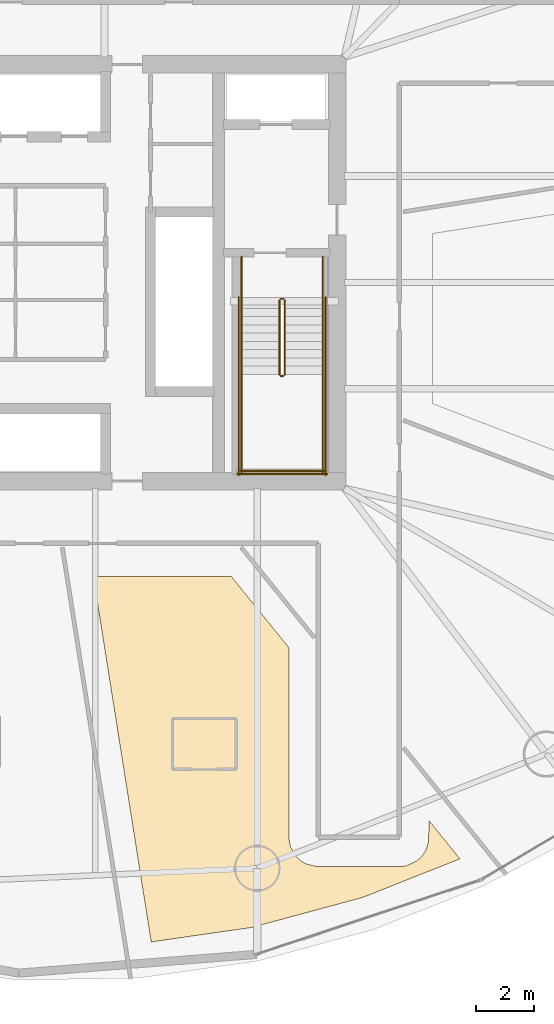
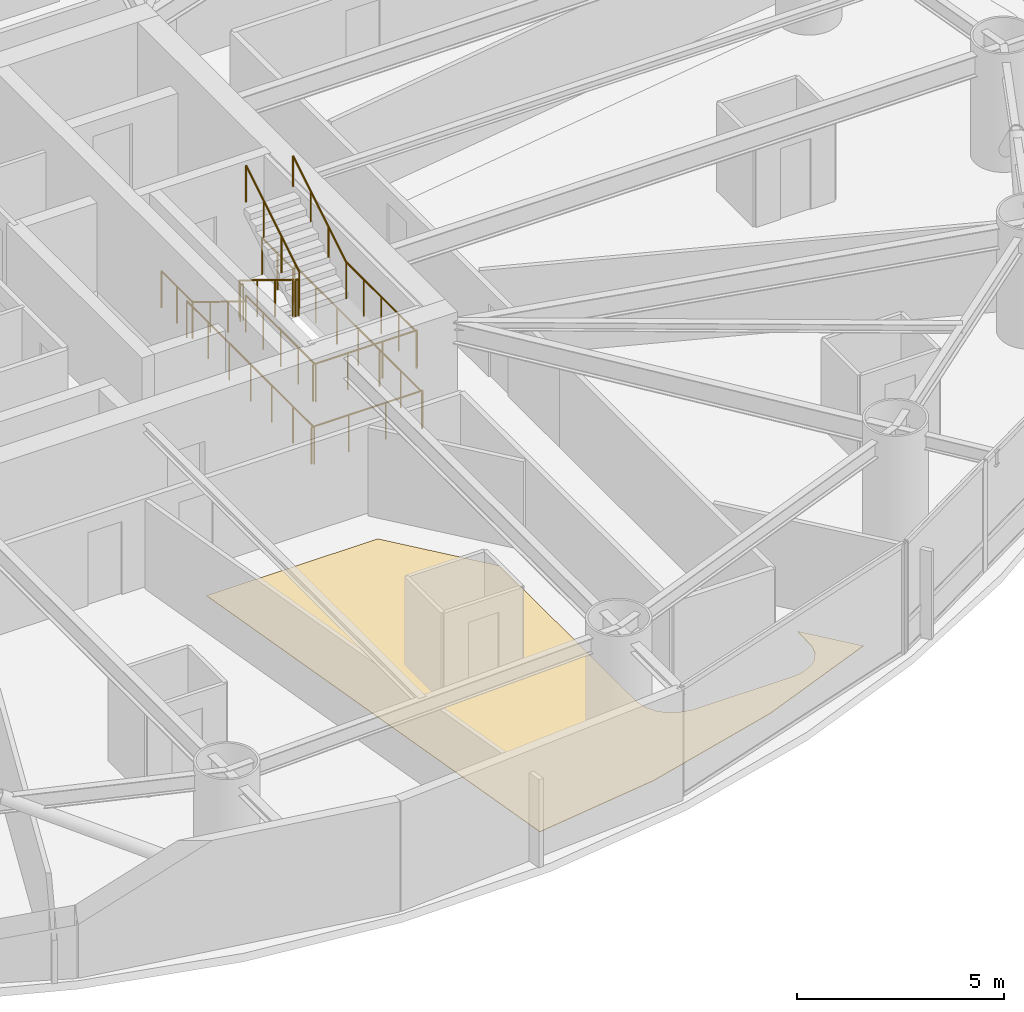
# One storey, part 24 of 25: 14 railings, 1 covering.
"""IFC4 building model written with IfcOpenShell, lengths in metres."""

from ifc_helpers import new_model, si_unit, direction, frame, origin, origin_2d, place, context, subcontext, project, spatial, polyline, circle, outline, extrude, material, layer, layer_set, type_object, element, save


model = new_model("IFC4")

# Units and contexts
model_context = context("Model", 3, precision=1e-05, world=origin(), true_north=direction((0.0, 1.0)))
body_context = subcontext(model_context, "Body", "Model", "MODEL_VIEW")
ifc_project = project(units=[si_unit("LENGTHUNIT", "METRE"), si_unit("AREAUNIT", "SQUARE_METRE"), si_unit("VOLUMEUNIT", "CUBIC_METRE"), si_unit("PLANEANGLEUNIT", "RADIAN"), si_unit("MASSUNIT", "GRAM", prefix="KILO")], contexts=[model_context])

# Site, building, storey
site_placement = place(None, origin())
site = spatial("IfcSite", under=ifc_project, at=site_placement, CompositionType="ELEMENT")
building_placement = place(site_placement, origin())
building = spatial("IfcBuilding", under=site, at=building_placement, Name="Bramvorn Convention Spire", CompositionType="ELEMENT")
storey_placement = place(building_placement, frame((0.0, 0.0, 48.39990234375)))
storey = spatial("IfcBuildingStorey", under=building, at=storey_placement, Name="L09", CompositionType="ELEMENT", Elevation=48.39990234375)

# Covering
ifc_material_1 = material(Name="Solution-Dyed Wool Broadloom Hospitality Carpet", Category="textile")
ifc_layer = layer(ifc_material_1, 0.014892578125)
ifc_layer_set = layer_set([ifc_layer], Name="Solution-Dyed Wool Broadloom Hospitality Carpet - FLR-CARPET-15")
covering_type = type_object("IfcCoveringType", Name="FLR-CARPET-15", PredefinedType="FLOORING", material=ifc_layer_set)
covering_placement = place(storey_placement, origin())
element("IfcCovering", 1, at=covering_placement, inside=storey, type_object=covering_type, Name="Hotel Suite 0910 wool broadloom carpet", PredefinedType="FLOORING", context=body_context, shape_type="SweptSolid", body=[
    extrude(outline(polyline([(46.0224609375, 3.372314453125), (49.884765625, 4.415771484375), (53.24169921875, 5.747802734375), (52.169921875, 7.0712890625), (52.15966796875, 6.356201171875), (52.0693359375, 6.05859375), (51.90966796875, 5.819580078125), (51.76220703125, 5.684326171875), (51.403564453125, 5.51220703125), (51.14990234375, 5.47998046875), (48.294189453125, 5.481689453125), (47.90869140625, 5.58056640625), (47.73779296875, 5.684326171875), (47.534423828125, 5.8876953125), (47.3876953125, 6.162109375), (47.3310546875, 6.455810546875), (47.330078125, 13.04833984375), (45.344482421875, 15.5), (40.57421875, 15.5), (42.5732421875, 2.87841796875), (46.0224609375, 3.372314453125)])), origin(), (0.0, 0.0, 1.0), 0.01513671875),
])

# Railings
ifc_material_2 = material(Name="Painted Steel Balustrade & Guardrail", Category="steel")
railing_type_1 = type_object("IfcRailingType", Name="RL-STAIR-GUARD-1100", PredefinedType="GUARDRAIL", material=ifc_material_2)
railing_1_placement = place(storey_placement, frame((47.010009765625, 25.050048828125, 0.175048828125)))
element("IfcRailing", 2, at=railing_1_placement, inside=storey, type_object=railing_type_1, Name="L09 ST2 stair guard 1", PredefinedType="GUARDRAIL", context=body_context, shape_type="SweptSolid", body=[
    extrude(circle(Radius=0.02392578125, at=origin_2d()), frame((0.0, 0.0, 1.076171875), z_axis=(0.0, -0.852173129349, 0.523259933127), x_axis=(1.0, 0.0, 0.0)), (0.0, 0.0, 1.0), 3.009765625),
    extrude(circle(Radius=0.02099609375, at=origin_2d()), origin(), (0.0, 0.0, 1.0), 1.052001953125),
    extrude(circle(Radius=0.02099609375, at=origin_2d()), frame((0.0, -0.85498046875, 0.52490234375)), (0.0, 0.0, 1.0), 1.052001953125),
    extrude(circle(Radius=0.02099609375, at=origin_2d()), frame((0.0, -1.7099609375, 1.050048828125)), (0.0, 0.0, 1.0), 1.052001953125),
    extrude(circle(Radius=0.02099609375, at=origin_2d()), frame((0.0, -2.56494140625, 1.574951171875)), (0.0, 0.0, 1.0), 1.052001953125),
])
railing_2_placement = place(storey_placement, frame((47.06005859375, 22.43505859375, 1.75)))
element("IfcRailing", 3, at=railing_2_placement, inside=storey, type_object=railing_type_1, Name="L09 ST2 stair guard 2", PredefinedType="GUARDRAIL", context=body_context, shape_type="SweptSolid", body=[
    extrude(circle(Radius=0.02392578125, at=origin_2d()), frame((0.0, 0.0, 1.076171875), z_axis=(1.0, 0.0, 0.0), x_axis=(0.0, 1.0, 0.0)), (0.0, 0.0, 1.0), 0.079833984375),
    extrude(circle(Radius=0.02099609375, at=origin_2d()), origin(), (0.0, 0.0, 1.0), 1.052001953125),
    extrude(circle(Radius=0.02099609375, at=origin_2d()), frame((0.079833984375, 0.0, 0.0)), (0.0, 0.0, 1.0), 1.052001953125),
])
for number, where, name in (
    (4, (45.699951171875, 22.485107421875, 1.75), "L09 ST2 stair guard 3"),
    (5, (48.5, 22.485107421875, 1.75), "L09 ST2 stair guard 4"),
):
    element("IfcRailing", number, at=place(storey_placement, frame(where)), inside=storey, type_object=railing_type_1, Name=name, PredefinedType="GUARDRAIL", context=body_context, shape_type="SweptSolid", body=[
        extrude(circle(Radius=0.02392578125, at=origin_2d()), frame((0.0, 0.0, 1.076171875), z_axis=(0.0, -1.0, 0.0), x_axis=(1.0, 0.0, 0.0)), (0.0, 0.0, 1.0), 3.385009765625),
        extrude(circle(Radius=0.02099609375, at=origin_2d()), origin(), (0.0, 0.0, 1.0), 1.052001953125),
        extrude(circle(Radius=0.02099609375, at=origin_2d()), frame((0.0, -0.84619140625, 0.0)), (0.0, 0.0, 1.0), 1.052001953125),
        extrude(circle(Radius=0.02099609375, at=origin_2d()), frame((0.0, -1.6923828125, 0.0)), (0.0, 0.0, 1.0), 1.052001953125),
        extrude(circle(Radius=0.02099609375, at=origin_2d()), frame((0.0, -2.538818359375, 0.0)), (0.0, 0.0, 1.0), 1.052001953125),
        extrude(circle(Radius=0.02099609375, at=origin_2d()), frame((0.0, -3.385009765625, 0.0)), (0.0, 0.0, 1.0), 1.052001953125),
    ])
railing_3_placement = place(storey_placement, frame((45.64990234375, 19.14990234375, 1.75)))
element("IfcRailing", 6, at=railing_3_placement, inside=storey, type_object=railing_type_1, Name="L09 ST2 stair guard 5", PredefinedType="GUARDRAIL", context=body_context, shape_type="SweptSolid", body=[
    extrude(circle(Radius=0.02392578125, at=origin_2d()), frame((0.0, 0.0, 1.076171875), z_axis=(1.0, 0.0, 0.0), x_axis=(0.0, 1.0, 0.0)), (0.0, 0.0, 1.0), 2.900146484375),
    extrude(circle(Radius=0.02099609375, at=origin_2d()), origin(), (0.0, 0.0, 1.0), 1.052001953125),
    extrude(circle(Radius=0.02099609375, at=origin_2d()), frame((0.966796875, 0.0, 0.0)), (0.0, 0.0, 1.0), 1.052001953125),
    extrude(circle(Radius=0.02099609375, at=origin_2d()), frame((1.933349609375, 0.0, 0.0)), (0.0, 0.0, 1.0), 1.052001953125),
    extrude(circle(Radius=0.02099609375, at=origin_2d()), frame((2.900146484375, 0.0, 0.0)), (0.0, 0.0, 1.0), 1.052001953125),
])
railing_4_placement = place(storey_placement, frame((47.18994140625, 22.485107421875, 1.925048828125)))
element("IfcRailing", 7, at=railing_4_placement, inside=storey, type_object=railing_type_1, Name="L09 ST2 stair guard 6", PredefinedType="GUARDRAIL", context=body_context, shape_type="SweptSolid", body=[
    extrude(circle(Radius=0.02392578125, at=origin_2d()), frame((0.0, 0.0, 1.076171875), z_axis=(0.0, 0.852173129349, 0.523259933127), x_axis=(-1.0, 0.0, 0.0)), (0.0, 0.0, 1.0), 3.009765625),
    extrude(circle(Radius=0.02099609375, at=origin_2d()), origin(), (0.0, 0.0, 1.0), 1.052001953125),
    extrude(circle(Radius=0.02099609375, at=origin_2d()), frame((0.0, 0.85498046875, 0.52490234375)), (0.0, 0.0, 1.0), 1.052001953125),
    extrude(circle(Radius=0.02099609375, at=origin_2d()), frame((0.0, 1.7099609375, 1.050048828125)), (0.0, 0.0, 1.0), 1.052001953125),
    extrude(circle(Radius=0.02099609375, at=origin_2d()), frame((0.0, 2.56494140625, 1.574951171875)), (0.0, 0.0, 1.0), 1.052001953125),
])
railing_5_placement = place(storey_placement, frame((47.06005859375, 25.10009765625, 0.0)))
element("IfcRailing", 8, at=railing_5_placement, inside=storey, type_object=railing_type_1, Name="L09 ST2 stair guard 7", PredefinedType="GUARDRAIL", context=body_context, shape_type="SweptSolid", body=[
    extrude(circle(Radius=0.02392578125, at=origin_2d()), frame((0.0, 0.0, 1.076171875), z_axis=(1.0, 0.0, 0.0), x_axis=(0.0, 1.0, 0.0)), (0.0, 0.0, 1.0), 0.079833984375),
    extrude(circle(Radius=0.02099609375, at=origin_2d()), origin(), (0.0, 0.0, 1.0), 1.052001953125),
    extrude(circle(Radius=0.02099609375, at=origin_2d()), frame((0.079833984375, 0.0, 0.0)), (0.0, 0.0, 1.0), 1.052001953125),
])
for number, where, name in (
    (9, (45.699951171875, 26.550048828125, 0.0), "L09 ST2 stair guard 8"),
    (10, (48.5, 26.550048828125, 0.0), "L09 ST2 stair guard 9"),
):
    element("IfcRailing", number, at=place(storey_placement, frame(where)), inside=storey, type_object=railing_type_1, Name=name, PredefinedType="GUARDRAIL", context=body_context, shape_type="SweptSolid", body=[
        extrude(circle(Radius=0.02392578125, at=origin_2d()), frame((0.0, 0.0, 1.076171875), z_axis=(0.0, -1.0, 0.0), x_axis=(1.0, 0.0, 0.0)), (0.0, 0.0, 1.0), 1.5),
        extrude(circle(Radius=0.02099609375, at=origin_2d()), origin(), (0.0, 0.0, 1.0), 1.052001953125),
        extrude(circle(Radius=0.02099609375, at=origin_2d()), frame((0.0, -0.75, 0.0)), (0.0, 0.0, 1.0), 1.052001953125),
        extrude(circle(Radius=0.02099609375, at=origin_2d()), frame((0.0, -1.5, 0.0)), (0.0, 0.0, 1.0), 1.052001953125),
    ])
for number, where, name in (
    (11, (45.60009765625, 25.14990234375, 0.0), "L09 ST2 stair guard 10"),
    (12, (48.60009765625, 25.14990234375, 0.0), "L09 ST2 stair guard 11"),
):
    element("IfcRailing", number, at=place(storey_placement, frame(where)), inside=storey, type_object=railing_type_1, Name=name, PredefinedType="GUARDRAIL", context=body_context, shape_type="SweptSolid", body=[
        extrude(circle(Radius=0.02392578125, at=origin_2d()), frame((0.0, 0.0, 1.076171875), z_axis=(0.0, -1.0, 0.0), x_axis=(1.0, 0.0, 0.0)), (0.0, 0.0, 1.0), 6.14990234375),
        extrude(circle(Radius=0.02099609375, at=origin_2d()), origin(), (0.0, 0.0, 1.0), 1.052001953125),
        extrude(circle(Radius=0.02099609375, at=origin_2d()), frame((0.0, -1.02490234375, 0.0)), (0.0, 0.0, 1.0), 1.052001953125),
        extrude(circle(Radius=0.02099609375, at=origin_2d()), frame((0.0, -2.050048828125, 0.0)), (0.0, 0.0, 1.0), 1.052001953125),
        extrude(circle(Radius=0.02099609375, at=origin_2d()), frame((0.0, -3.074951171875, 0.0)), (0.0, 0.0, 1.0), 1.052001953125),
        extrude(circle(Radius=0.02099609375, at=origin_2d()), frame((0.0, -4.099853515625, 0.0)), (0.0, 0.0, 1.0), 1.052001953125),
        extrude(circle(Radius=0.02099609375, at=origin_2d()), frame((0.0, -5.125, 0.0)), (0.0, 0.0, 1.0), 1.052001953125),
        extrude(circle(Radius=0.02099609375, at=origin_2d()), frame((0.0, -6.14990234375, 0.0)), (0.0, 0.0, 1.0), 1.052001953125),
    ])
railing_6_placement = place(storey_placement, frame((45.550048828125, 19.050048828125, 0.0)))
element("IfcRailing", 13, at=railing_6_placement, inside=storey, type_object=railing_type_1, Name="L09 ST2 stair guard 12", PredefinedType="GUARDRAIL", context=body_context, shape_type="SweptSolid", body=[
    extrude(circle(Radius=0.02392578125, at=origin_2d()), frame((0.0, 0.0, 1.076171875), z_axis=(1.0, 0.0, 0.0), x_axis=(0.0, 1.0, 0.0)), (0.0, 0.0, 1.0), 3.099853515625),
    extrude(circle(Radius=0.02099609375, at=origin_2d()), origin(), (0.0, 0.0, 1.0), 1.052001953125),
    extrude(circle(Radius=0.02099609375, at=origin_2d()), frame((1.033203125, 0.0, 0.0)), (0.0, 0.0, 1.0), 1.052001953125),
    extrude(circle(Radius=0.02099609375, at=origin_2d()), frame((2.066650390625, 0.0, 0.0)), (0.0, 0.0, 1.0), 1.052001953125),
    extrude(circle(Radius=0.02099609375, at=origin_2d()), frame((3.099853515625, 0.0, 0.0)), (0.0, 0.0, 1.0), 1.052001953125),
])
ifc_material_3 = material(Name="Brushed Bronze Tubular Handrail", Category="aluminium")
railing_type_2 = type_object("IfcRailingType", Name="RL-STAIR-HR-920", PredefinedType="HANDRAIL", material=ifc_material_3)
railing_7_placement = place(storey_placement, frame((45.699951171875, 25.050048828125, 0.175048828125)))
element("IfcRailing", 14, at=railing_7_placement, inside=storey, type_object=railing_type_2, Name="L09 ST2 stair handrail 1", PredefinedType="HANDRAIL", context=body_context, shape_type="SweptSolid", body=[
    extrude(circle(Radius=0.02392578125, at=origin_2d()), frame((0.0, 0.0, 0.89599609375), z_axis=(0.0, -0.852173129349, 0.523259933127), x_axis=(1.0, 0.0, 0.0)), (0.0, 0.0, 1.0), 3.009765625),
    extrude(circle(Radius=0.02099609375, at=origin_2d()), origin(), (0.0, 0.0, 1.0), 0.871826171875),
    extrude(circle(Radius=0.02099609375, at=origin_2d()), frame((0.0, -0.85498046875, 0.52490234375)), (0.0, 0.0, 1.0), 0.871826171875),
    extrude(circle(Radius=0.02099609375, at=origin_2d()), frame((0.0, -1.7099609375, 1.050048828125)), (0.0, 0.0, 1.0), 0.871826171875),
    extrude(circle(Radius=0.02099609375, at=origin_2d()), frame((0.0, -2.56494140625, 1.574951171875)), (0.0, 0.0, 1.0), 0.871826171875),
])
railing_8_placement = place(storey_placement, frame((48.5, 22.485107421875, 1.925048828125)))
element("IfcRailing", 15, at=railing_8_placement, inside=storey, type_object=railing_type_2, Name="L09 ST2 stair handrail 2", PredefinedType="HANDRAIL", context=body_context, shape_type="SweptSolid", body=[
    extrude(circle(Radius=0.02392578125, at=origin_2d()), frame((0.0, 0.0, 0.89599609375), z_axis=(0.0, 0.852173129349, 0.523259933127), x_axis=(-1.0, 0.0, 0.0)), (0.0, 0.0, 1.0), 3.009765625),
    extrude(circle(Radius=0.02099609375, at=origin_2d()), origin(), (0.0, 0.0, 1.0), 0.871826171875),
    extrude(circle(Radius=0.02099609375, at=origin_2d()), frame((0.0, 0.85498046875, 0.52490234375)), (0.0, 0.0, 1.0), 0.871826171875),
    extrude(circle(Radius=0.02099609375, at=origin_2d()), frame((0.0, 1.7099609375, 1.050048828125)), (0.0, 0.0, 1.0), 0.871826171875),
    extrude(circle(Radius=0.02099609375, at=origin_2d()), frame((0.0, 2.56494140625, 1.574951171875)), (0.0, 0.0, 1.0), 0.871826171875),
])

save(model, "model.ifc")
